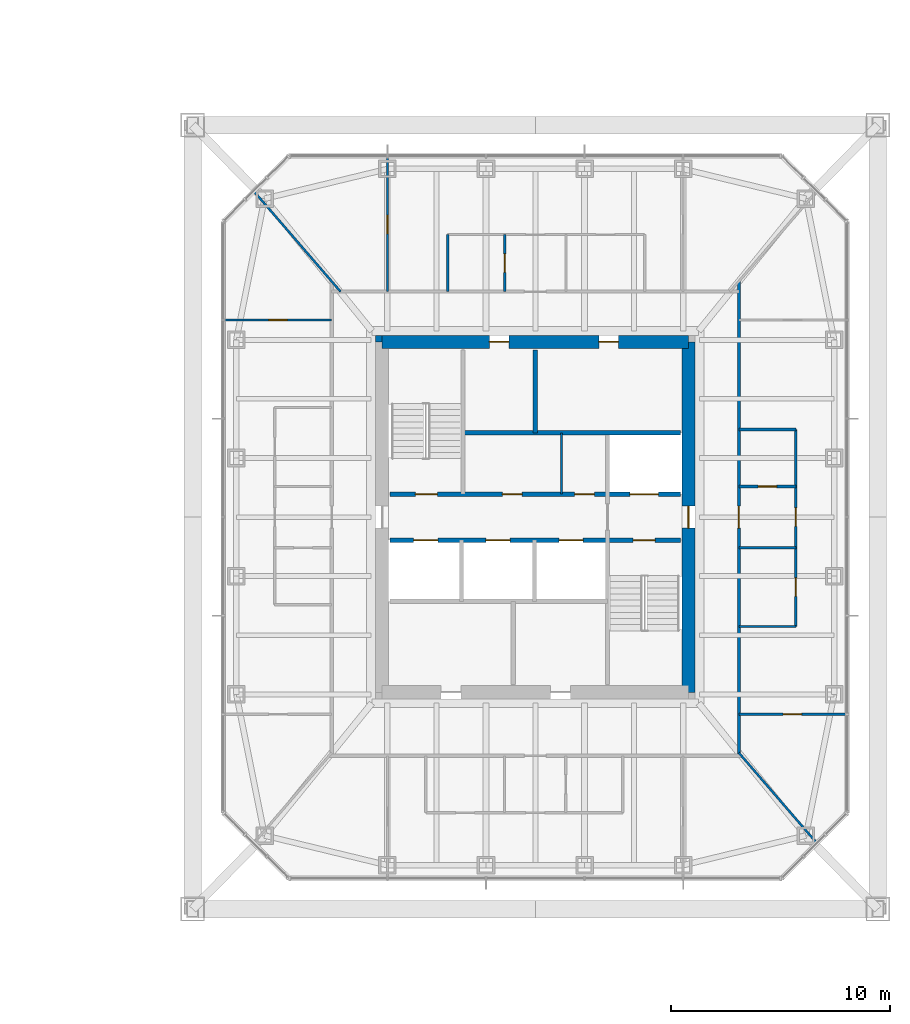
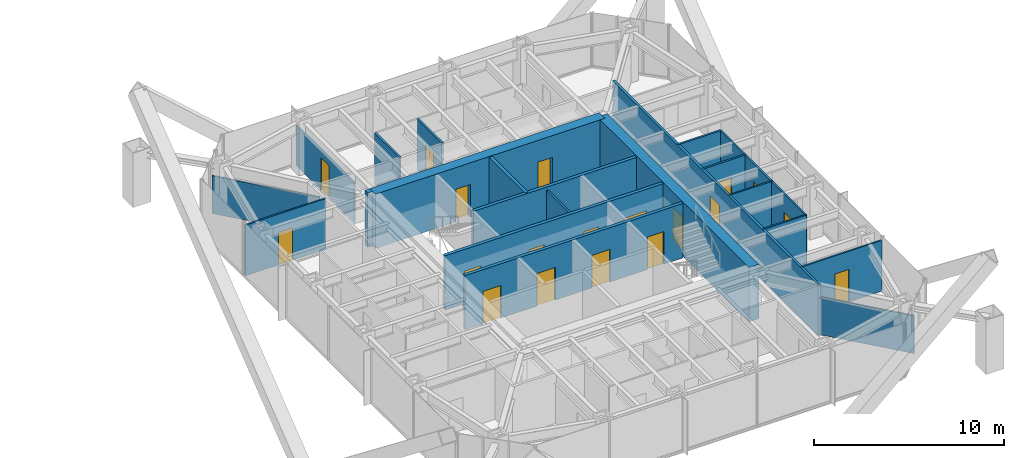
# One storey, part 16 of 23: 21 walls, 19 doors, 19 openings.
"""IFC4 building model written with IfcOpenShell, lengths in metres."""

from ifc_helpers import new_model, si_unit, direction, frame, frame_2d, origin, place, context, subcontext, project, spatial, rectangle, extrude, material, layer, layer_set, type_object, element, fill, save


model = new_model("IFC4")

# Units and contexts
model_context = context("Model", 3, precision=1e-05, world=origin(), true_north=direction((0.0, 1.0)))
body_context = subcontext(model_context, "Body", "Model", "MODEL_VIEW")
ifc_project = project(units=[si_unit("LENGTHUNIT", "METRE"), si_unit("AREAUNIT", "SQUARE_METRE"), si_unit("VOLUMEUNIT", "CUBIC_METRE"), si_unit("PLANEANGLEUNIT", "RADIAN"), si_unit("MASSUNIT", "GRAM", prefix="KILO")], contexts=[model_context])

# Site, building, storey
site_placement = place(None, origin())
site = spatial("IfcSite", under=ifc_project, at=site_placement, CompositionType="ELEMENT")
building_placement = place(site_placement, origin())
building = spatial("IfcBuilding", under=site, at=building_placement, Name="Iwan Alto Co-Living Towers", CompositionType="ELEMENT")
storey_placement = place(building_placement, frame((0.0, 0.0, 122.5)))
storey = spatial("IfcBuildingStorey", under=building, at=storey_placement, Name="L33", CompositionType="ELEMENT", Elevation=122.5)

# Wall, opening, door
ifc_material_1 = material(Name="Gypsum board")
ifc_layer_1 = layer(ifc_material_1, 0.02490234375, Name="Board", Category="Finish")
ifc_material_2 = material(Name="Steel ASTM A1003 ST33H cold-formed studs", Category="steel")
ifc_layer_2 = layer(ifc_material_2, 0.10009765625, Name="Studs", Category="Framing")
ifc_layer_3 = layer(ifc_material_1, 0.02490234375, Name="Board", Category="Finish")
ifc_layer_set_1 = layer_set([ifc_layer_1, ifc_layer_2, ifc_layer_3], Name="CORRIDOR WALL 150")
wall_type_1 = type_object("IfcWallType", Name="CORRIDOR WALL 150", PredefinedType="PARTITIONING", material=ifc_layer_set_1)
wall_1_placement = place(storey_placement, frame((72.300048828125, -10.89990234375, 0.0), z_axis=(0.0, 0.0, 1.0), x_axis=(0.0, 1.0, 0.0)))
wall_1 = element("IfcWall", 1, at=wall_1_placement, inside=storey, type_object=wall_type_1, Name="Partition L33", PredefinedType="PARTITIONING", context=body_context, shape_type="SweptSolid", body=[
    extrude(rectangle(XDim=21.66796875, YDim=0.14990234375, at=frame_2d((10.833984375, 0.0))), origin(), (0.0, 0.0, 1.0), 3.27001953125),
])
opening_1_placement = place(wall_1_placement, frame((10.39990234375, 0.0, 0.0)))
opening_1 = element("IfcOpeningElement", 2, at=opening_1_placement, cuts=wall_1, Name="Opening D3", PredefinedType="OPENING", context=body_context, shape_type="SweptSolid", body=[
    extrude(rectangle(XDim=1.0, YDim=2.10009765625, at=frame_2d((0.5, 1.050048828125))), frame((0.0, 0.0849609375, 0.0), z_axis=(0.0, -1.0, 0.0), x_axis=(1.0, 0.0, 0.0)), (0.0, 0.0, 1.0), 0.169921875),
])
ifc_material_3 = material(Name="Steel frame with timber leaf", Category="steel")
door_type_1 = type_object("IfcDoorType", Name="FLAT ENTRANCE DOOR FD30S 1000X2100", OperationType="SINGLE_SWING_LEFT", PredefinedType="DOOR", material=ifc_material_3)
door_1_placement = place(opening_1_placement, frame((1.0, 0.0, 0.0), z_axis=(0.0, 0.0, 1.0), x_axis=(-1.0, 0.0, 0.0)))
door_1 = element("IfcDoor", 3, at=door_1_placement, inside=storey, type_object=door_type_1, Name="Apartment foyer door L33", OperationType="SINGLE_SWING_RIGHT", OverallHeight=2.10009765625, OverallWidth=1.0, PredefinedType="DOOR", context=body_context, shape_type="SweptSolid", body=[
    extrude(rectangle(XDim=1.0, YDim=2.10009765625, at=frame_2d((0.5, 1.050048828125))), frame((0.0, 0.02490234375, 0.0), z_axis=(0.0, -1.0, 0.0), x_axis=(1.0, 0.0, 0.0)), (0.0, 0.0, 1.0), 0.050048828125),
])
fill(opening_1, door_1)

ifc_layer_4 = layer(ifc_material_1, 0.012451171875, Name="Board", Category="Finish")
ifc_layer_5 = layer(ifc_material_2, 0.074951171875, Name="Studs", Category="Framing")
ifc_layer_6 = layer(ifc_material_1, 0.012451171875, Name="Board", Category="Finish")
ifc_layer_set_2 = layer_set([ifc_layer_4, ifc_layer_5, ifc_layer_6], Name="PARTITION 100")
wall_type_2 = type_object("IfcWallType", Name="PARTITION 100", PredefinedType="PARTITIONING", material=ifc_layer_set_2)
wall_2_placement = place(storey_placement, frame((72.300048828125, -9.0, 0.0), z_axis=(0.0, 0.0, 1.0), x_axis=(1.0, 0.0, 0.0)))
wall_2 = element("IfcWall", 4, at=wall_2_placement, inside=storey, type_object=wall_type_2, Name="Partition L33", PredefinedType="PARTITIONING", context=body_context, shape_type="SweptSolid", body=[
    extrude(rectangle(XDim=4.889892578125, YDim=0.10009765625, at=frame_2d((2.44482421875, 0.0))), origin(), (0.0, 0.0, 1.0), 3.27001953125),
])
opening_2_placement = place(wall_2_placement, frame((2.02001953125, 0.0, 0.0)))
opening_2 = element("IfcOpeningElement", 5, at=opening_2_placement, cuts=wall_2, Name="Opening D2", PredefinedType="OPENING", context=body_context, shape_type="SweptSolid", body=[
    extrude(rectangle(XDim=0.85009765625, YDim=2.10009765625, at=frame_2d((0.425048828125, 1.050048828125))), frame((0.0, 0.06005859375, 0.0), z_axis=(0.0, -1.0, 0.0), x_axis=(1.0, 0.0, 0.0)), (0.0, 0.0, 1.0), 0.1201171875),
])
ifc_material_4 = material(Name="Timber leaf in steel frame", Category="steel")
door_type_2 = type_object("IfcDoorType", Name="ROOM DOOR 850X2100", OperationType="SINGLE_SWING_LEFT", PredefinedType="DOOR", material=ifc_material_4)
door_2_placement = place(opening_2_placement, origin())
door_2 = element("IfcDoor", 6, at=door_2_placement, inside=storey, type_object=door_type_2, Name="Bedroom door L33", OperationType="SINGLE_SWING_LEFT", OverallHeight=2.10009765625, OverallWidth=0.85009765625, PredefinedType="DOOR", context=body_context, shape_type="SweptSolid", body=[
    extrude(rectangle(XDim=0.85009765625, YDim=2.10009765625, at=frame_2d((0.425048828125, 1.050048828125))), frame((0.0, 0.02490234375, 0.0), z_axis=(0.0, -1.0, 0.0), x_axis=(1.0, 0.0, 0.0)), (0.0, 0.0, 1.0), 0.050048828125),
])
fill(opening_2, door_2)

# Walls
for number, where, z_axis, x_axis, name in (
    (7, (72.300048828125, -5.0, 0.0), (0.0, 0.0, 1.0), (1.0, 0.0, 0.0), "Partition L33"),
    (8, (72.300048828125, -1.39990234375, 0.0), (0.0, 0.0, 1.0), (1.0, 0.0, 0.0), "Partition L33"),
):
    element("IfcWall", number, at=place(storey_placement, frame(where, z_axis=z_axis, x_axis=x_axis)), inside=storey, type_object=wall_type_2, Name=name, PredefinedType="PARTITIONING", context=body_context, shape_type="SweptSolid", body=[
        extrude(rectangle(XDim=2.599853515625, YDim=0.10009765625, at=frame_2d((1.2998046875, 0.0))), origin(), (0.0, 0.0, 1.0), 3.27001953125),
    ])

# Wall, opening, door
wall_3_placement = place(storey_placement, frame((48.81005859375, 9.0, 0.0), z_axis=(0.0, 0.0, 1.0), x_axis=(1.0, 0.0, 0.0)))
wall_3 = element("IfcWall", 9, at=wall_3_placement, inside=storey, type_object=wall_type_2, Name="Partition L33", PredefinedType="PARTITIONING", context=body_context, shape_type="SweptSolid", body=[
    extrude(rectangle(XDim=4.889892578125, YDim=0.10009765625, at=frame_2d((2.44482421875, 0.0))), origin(), (0.0, 0.0, 1.0), 3.27001953125),
])
opening_3_placement = place(wall_3_placement, frame((2.02001953125, 0.0, 0.0)))
opening_3 = element("IfcOpeningElement", 10, at=opening_3_placement, cuts=wall_3, Name="Opening D2", PredefinedType="OPENING", context=body_context, shape_type="SweptSolid", body=[
    extrude(rectangle(XDim=0.85009765625, YDim=2.10009765625, at=frame_2d((0.425048828125, 1.050048828125))), frame((0.0, 0.06005859375, 0.0), z_axis=(0.0, -1.0, 0.0), x_axis=(1.0, 0.0, 0.0)), (0.0, 0.0, 1.0), 0.1201171875),
])
door_3_placement = place(opening_3_placement, frame((0.85009765625, 0.0, 0.0), z_axis=(0.0, 0.0, 1.0), x_axis=(-1.0, 0.0, 0.0)))
door_3 = element("IfcDoor", 11, at=door_3_placement, inside=storey, type_object=door_type_2, Name="Bedroom door L33", OperationType="SINGLE_SWING_LEFT", OverallHeight=2.10009765625, OverallWidth=0.85009765625, PredefinedType="DOOR", context=body_context, shape_type="SweptSolid", body=[
    extrude(rectangle(XDim=0.85009765625, YDim=2.10009765625, at=frame_2d((0.425048828125, 1.050048828125))), frame((0.0, 0.02490234375, 0.0), z_axis=(0.0, -1.0, 0.0), x_axis=(1.0, 0.0, 0.0)), (0.0, 0.0, 1.0), 0.050048828125),
])
fill(opening_3, door_3)

# Wall, openings, doors
wall_4_placement = place(storey_placement, frame((74.89990234375, -5.0, 0.0), z_axis=(0.0, 0.0, 1.0), x_axis=(0.0, 1.0, 0.0)))
wall_4 = element("IfcWall", 12, at=wall_4_placement, inside=storey, type_object=wall_type_2, Name="Partition L33", PredefinedType="PARTITIONING", context=body_context, shape_type="SweptSolid", body=[
    extrude(rectangle(XDim=9.0, YDim=0.10009765625, at=frame_2d((4.5, 0.0))), origin(), (0.0, 0.0, 1.0), 3.27001953125),
])
opening_4_placement = place(wall_4_placement, frame((1.375, 0.0, 0.0)))
opening_4 = element("IfcOpeningElement", 13, at=opening_4_placement, cuts=wall_4, Name="Opening D2", PredefinedType="OPENING", context=body_context, shape_type="SweptSolid", body=[
    extrude(rectangle(XDim=0.85009765625, YDim=2.10009765625, at=frame_2d((0.425048828125, 1.050048828125))), frame((0.0, 0.06005859375, 0.0), z_axis=(0.0, -1.0, 0.0), x_axis=(1.0, 0.0, 0.0)), (0.0, 0.0, 1.0), 0.1201171875),
])
opening_5_placement = place(wall_4_placement, frame((4.574951171875, 0.0, 0.0)))
opening_5 = element("IfcOpeningElement", 14, at=opening_5_placement, cuts=wall_4, Name="Opening D2", PredefinedType="OPENING", context=body_context, shape_type="SweptSolid", body=[
    extrude(rectangle(XDim=0.85009765625, YDim=2.10009765625, at=frame_2d((0.425048828125, 1.050048828125))), frame((0.0, 0.06005859375, 0.0), z_axis=(0.0, -1.0, 0.0), x_axis=(1.0, 0.0, 0.0)), (0.0, 0.0, 1.0), 0.1201171875),
])
door_4_placement = place(opening_4_placement, frame((0.85009765625, 0.0, 0.0), z_axis=(0.0, 0.0, 1.0), x_axis=(-1.0, 0.0, 0.0)))
door_4 = element("IfcDoor", 15, at=door_4_placement, inside=storey, type_object=door_type_2, Name="Kitchen door L33", OperationType="SINGLE_SWING_RIGHT", OverallHeight=2.10009765625, OverallWidth=0.85009765625, PredefinedType="DOOR", context=body_context, shape_type="SweptSolid", body=[
    extrude(rectangle(XDim=0.85009765625, YDim=2.10009765625, at=frame_2d((0.425048828125, 1.050048828125))), frame((0.0, 0.02490234375, 0.0), z_axis=(0.0, -1.0, 0.0), x_axis=(1.0, 0.0, 0.0)), (0.0, 0.0, 1.0), 0.050048828125),
])
fill(opening_4, door_4)
door_5_placement = place(opening_5_placement, frame((0.85009765625, 0.0, 0.0), z_axis=(0.0, 0.0, 1.0), x_axis=(-1.0, 0.0, 0.0)))
door_5 = element("IfcDoor", 16, at=door_5_placement, inside=storey, type_object=door_type_2, Name="Apartment foyer door L33", OperationType="SINGLE_SWING_RIGHT", OverallHeight=2.10009765625, OverallWidth=0.85009765625, PredefinedType="DOOR", context=body_context, shape_type="SweptSolid", body=[
    extrude(rectangle(XDim=0.85009765625, YDim=2.10009765625, at=frame_2d((0.425048828125, 1.050048828125))), frame((0.0, 0.02490234375, 0.0), z_axis=(0.0, -1.0, 0.0), x_axis=(1.0, 0.0, 0.0)), (0.0, 0.0, 1.0), 0.050048828125),
])
fill(opening_5, door_5)

# Wall
wall_5_placement = place(storey_placement, frame((64.199951171875, 1.050048828125, 0.0), z_axis=(0.0, 0.0, 1.0), x_axis=(0.0, 1.0, 0.0)))
element("IfcWall", 17, at=wall_5_placement, inside=storey, type_object=wall_type_2, Name="Partition L33", PredefinedType="PARTITIONING", context=body_context, shape_type="SweptSolid", body=[
    extrude(rectangle(XDim=2.800048828125, YDim=0.10009765625, at=frame_2d((1.39990234375, 0.0))), origin(), (0.0, 0.0, 1.0), 3.300048828125),
])

# Wall, opening, door
wall_6_placement = place(storey_placement, frame((56.25, 10.300048828125, 0.0), z_axis=(0.0, 0.0, 1.0), x_axis=(0.0, 1.0, 0.0)))
wall_6 = element("IfcWall", 18, at=wall_6_placement, inside=storey, type_object=wall_type_2, Name="Partition L33", PredefinedType="PARTITIONING", context=body_context, shape_type="SweptSolid", body=[
    extrude(rectangle(XDim=6.139892578125, YDim=0.10009765625, at=frame_2d((3.06982421875, 0.0))), origin(), (0.0, 0.0, 1.0), 2.586669921875),
])
opening_6_placement = place(wall_6_placement, frame((2.64501953125, 0.0, 0.0)))
opening_6 = element("IfcOpeningElement", 19, at=opening_6_placement, cuts=wall_6, Name="Opening D2", PredefinedType="OPENING", context=body_context, shape_type="SweptSolid", body=[
    extrude(rectangle(XDim=0.85009765625, YDim=2.10009765625, at=frame_2d((0.425048828125, 1.050048828125))), frame((0.0, 0.06005859375, 0.0), z_axis=(0.0, -1.0, 0.0), x_axis=(1.0, 0.0, 0.0)), (0.0, 0.0, 1.0), 0.1201171875),
])
door_6_placement = place(opening_6_placement, frame((0.85009765625, 0.0, 0.0), z_axis=(0.0, 0.0, 1.0), x_axis=(-1.0, 0.0, 0.0)))
door_6 = element("IfcDoor", 20, at=door_6_placement, inside=storey, type_object=door_type_2, Name="Bedroom door L33", OperationType="SINGLE_SWING_RIGHT", OverallHeight=2.10009765625, OverallWidth=0.85009765625, PredefinedType="DOOR", context=body_context, shape_type="SweptSolid", body=[
    extrude(rectangle(XDim=0.85009765625, YDim=2.10009765625, at=frame_2d((0.425048828125, 1.050048828125))), frame((0.0, 0.02490234375, 0.0), z_axis=(0.0, -1.0, 0.0), x_axis=(1.0, 0.0, 0.0)), (0.0, 0.0, 1.0), 0.050048828125),
])
fill(opening_6, door_6)

# Walls
wall_7_placement = place(storey_placement, frame((54.10498046875, 10.300048828125, 0.0), z_axis=(0.0, 0.0, 1.0), x_axis=(-0.653606109319, 0.756834892074, 0.0)))
element("IfcWall", 21, at=wall_7_placement, inside=storey, type_object=wall_type_2, Name="Partition L33", PredefinedType="PARTITIONING", context=body_context, shape_type="SweptSolid", body=[
    extrude(rectangle(XDim=6.0048828125, YDim=0.10009765625, at=frame_2d((3.00244140625, 0.0))), origin(), (0.0, 0.0, 1.0), 2.42919921875),
])
wall_8_placement = place(storey_placement, frame((75.821044921875, -14.843994140625, 0.0), z_axis=(0.0, 0.0, 1.0), x_axis=(-0.653713095188, 0.756742485381, 0.0)))
element("IfcWall", 22, at=wall_8_placement, inside=storey, type_object=wall_type_2, Name="Partition L33", PredefinedType="PARTITIONING", context=body_context, shape_type="SweptSolid", body=[
    extrude(rectangle(XDim=5.38623046875, YDim=0.10009765625, at=frame_2d((2.693115234375, 0.0))), origin(), (0.0, 0.0, 1.0), 2.42919921875),
])

# Wall, openings, doors
ifc_material_5 = material(Name="Concrete f'c 70 MPa", Category="concrete")
ifc_layer_7 = layer(ifc_material_5, 0.199951171875)
ifc_layer_set_3 = layer_set([ifc_layer_7], Name="SHAFT WALL 200")
wall_type_3 = type_object("IfcWallType", Name="SHAFT WALL 200", PredefinedType="SOLIDWALL", material=ifc_layer_set_3)
wall_9_placement = place(storey_placement, frame((56.360107421875, -1.050048828125, 0.0), z_axis=(0.0, 0.0, 1.0), x_axis=(1.0, 0.0, 0.0)))
wall_9 = element("IfcWall", 23, at=wall_9_placement, inside=storey, type_object=wall_type_3, Name="Shaft wall L33", PredefinedType="SOLIDWALL", context=body_context, shape_type="SweptSolid", body=[
    extrude(rectangle(XDim=13.27978515625, YDim=0.199951171875, at=frame_2d((6.639892578125, 0.0))), origin(), (0.0, 0.0, 1.0), 3.5),
])
opening_7_placement = place(wall_9_placement, frame((11.110107421875, 0.0, 0.0)))
opening_7 = element("IfcOpeningElement", 24, at=opening_7_placement, cuts=wall_9, Name="Opening D5", PredefinedType="OPENING", context=body_context, shape_type="SweptSolid", body=[
    extrude(rectangle(XDim=1.0, YDim=2.10009765625, at=frame_2d((0.5, 1.050048828125))), frame((0.0, 0.10986328125, 0.0), z_axis=(0.0, -1.0, 0.0), x_axis=(1.0, 0.0, 0.0)), (0.0, 0.0, 1.0), 0.219970703125),
])
opening_8_placement = place(wall_9_placement, frame((1.0869140625, 0.0, 0.0)))
opening_8 = element("IfcOpeningElement", 25, at=opening_8_placement, cuts=wall_9, Name="Opening LD", PredefinedType="OPENING", context=body_context, shape_type="SweptSolid", body=[
    extrude(rectangle(XDim=1.10009765625, YDim=2.10009765625, at=frame_2d((0.550048828125, 1.050048828125))), frame((0.0, 0.10986328125, 0.0), z_axis=(0.0, -1.0, 0.0), x_axis=(1.0, 0.0, 0.0)), (0.0, 0.0, 1.0), 0.219970703125),
])
opening_9_placement = place(wall_9_placement, frame((4.389892578125, 0.0, 0.0)))
opening_9 = element("IfcOpeningElement", 26, at=opening_9_placement, cuts=wall_9, Name="Opening LD", PredefinedType="OPENING", context=body_context, shape_type="SweptSolid", body=[
    extrude(rectangle(XDim=1.10009765625, YDim=2.10009765625, at=frame_2d((0.550048828125, 1.050048828125))), frame((0.0, 0.10986328125, 0.0), z_axis=(0.0, -1.0, 0.0), x_axis=(1.0, 0.0, 0.0)), (0.0, 0.0, 1.0), 0.219970703125),
])
opening_10_placement = place(wall_9_placement, frame((7.72412109375, 0.0, 0.0)))
opening_10 = element("IfcOpeningElement", 27, at=opening_10_placement, cuts=wall_9, Name="Opening LD", PredefinedType="OPENING", context=body_context, shape_type="SweptSolid", body=[
    extrude(rectangle(XDim=1.10009765625, YDim=2.10009765625, at=frame_2d((0.550048828125, 1.050048828125))), frame((0.0, 0.10986328125, 0.0), z_axis=(0.0, -1.0, 0.0), x_axis=(1.0, 0.0, 0.0)), (0.0, 0.0, 1.0), 0.219970703125),
])
ifc_material_6 = material(Name="Steel frame with timber leaf", Category="steel")
door_type_3 = type_object("IfcDoorType", Name="LIFT LANDING DOOR 1100X2100", OperationType="DOUBLE_DOOR_SLIDING", PredefinedType="DOOR", material=ifc_material_6)
door_7_placement = place(opening_8_placement, origin())
door_7 = element("IfcDoor", 28, at=door_7_placement, inside=storey, type_object=door_type_3, Name="Lift P5-1 landing door L33", OperationType="DOUBLE_DOOR_SLIDING", OverallHeight=2.10009765625, OverallWidth=1.10009765625, PredefinedType="DOOR", context=body_context, shape_type="SweptSolid", body=[
    extrude(rectangle(XDim=1.10009765625, YDim=2.10009765625, at=frame_2d((0.550048828125, 1.050048828125))), frame((0.0, 0.02490234375, 0.0), z_axis=(0.0, -1.0, 0.0), x_axis=(1.0, 0.0, 0.0)), (0.0, 0.0, 1.0), 0.050048828125),
])
fill(opening_8, door_7)
door_8_placement = place(opening_9_placement, origin())
door_8 = element("IfcDoor", 29, at=door_8_placement, inside=storey, type_object=door_type_3, Name="Lift P5-2 landing door L33", OperationType="DOUBLE_DOOR_SLIDING", OverallHeight=2.10009765625, OverallWidth=1.10009765625, PredefinedType="DOOR", context=body_context, shape_type="SweptSolid", body=[
    extrude(rectangle(XDim=1.10009765625, YDim=2.10009765625, at=frame_2d((0.550048828125, 1.050048828125))), frame((0.0, 0.02490234375, 0.0), z_axis=(0.0, -1.0, 0.0), x_axis=(1.0, 0.0, 0.0)), (0.0, 0.0, 1.0), 0.050048828125),
])
fill(opening_9, door_8)
door_9_placement = place(opening_10_placement, origin())
door_9 = element("IfcDoor", 30, at=door_9_placement, inside=storey, type_object=door_type_3, Name="Lift P6-3 landing door L33", OperationType="DOUBLE_DOOR_SLIDING", OverallHeight=2.10009765625, OverallWidth=1.10009765625, PredefinedType="DOOR", context=body_context, shape_type="SweptSolid", body=[
    extrude(rectangle(XDim=1.10009765625, YDim=2.10009765625, at=frame_2d((0.550048828125, 1.050048828125))), frame((0.0, 0.02490234375, 0.0), z_axis=(0.0, -1.0, 0.0), x_axis=(1.0, 0.0, 0.0)), (0.0, 0.0, 1.0), 0.050048828125),
])
fill(opening_10, door_9)
ifc_material_7 = material(Name="Steel frame with timber leaf", Category="steel")
door_type_4 = type_object("IfcDoorType", Name="STAIR DOOR FD120S 1000X2100", OperationType="SINGLE_SWING_LEFT", PredefinedType="DOOR", material=ifc_material_7)
door_10_placement = place(opening_7_placement, frame((1.0, 0.0, 0.0), z_axis=(0.0, 0.0, 1.0), x_axis=(-1.0, 0.0, 0.0)))
door_10 = element("IfcDoor", 31, at=door_10_placement, inside=storey, type_object=door_type_4, Name="Stair S2 door L33", OperationType="SINGLE_SWING_RIGHT", OverallHeight=2.10009765625, OverallWidth=1.0, PredefinedType="DOOR", context=body_context, shape_type="SweptSolid", body=[
    extrude(rectangle(XDim=1.0, YDim=2.10009765625, at=frame_2d((0.5, 1.050048828125))), frame((0.0, 0.02490234375, 0.0), z_axis=(0.0, -1.0, 0.0), x_axis=(1.0, 0.0, 0.0)), (0.0, 0.0, 1.0), 0.050048828125),
])
fill(opening_7, door_10)

wall_10_placement = place(storey_placement, frame((56.360107421875, 1.050048828125, 0.0), z_axis=(0.0, 0.0, 1.0), x_axis=(1.0, 0.0, 0.0)))
wall_10 = element("IfcWall", 32, at=wall_10_placement, inside=storey, type_object=wall_type_3, Name="Shaft wall L33", PredefinedType="SOLIDWALL", context=body_context, shape_type="SweptSolid", body=[
    extrude(rectangle(XDim=13.27978515625, YDim=0.199951171875, at=frame_2d((6.639892578125, 0.0))), origin(), (0.0, 0.0, 1.0), 3.5),
])
opening_11_placement = place(wall_10_placement, frame((1.169921875, 0.0, 0.0)))
opening_11 = element("IfcOpeningElement", 33, at=opening_11_placement, cuts=wall_10, Name="Opening D5", PredefinedType="OPENING", context=body_context, shape_type="SweptSolid", body=[
    extrude(rectangle(XDim=1.0, YDim=2.10009765625, at=frame_2d((0.5, 1.050048828125))), frame((0.0, 0.10986328125, 0.0), z_axis=(0.0, -1.0, 0.0), x_axis=(1.0, 0.0, 0.0)), (0.0, 0.0, 1.0), 0.219970703125),
])
opening_12_placement = place(wall_10_placement, frame((5.139892578125, 0.0, 0.0)))
opening_12 = element("IfcOpeningElement", 34, at=opening_12_placement, cuts=wall_10, Name="Opening D8", PredefinedType="OPENING", context=body_context, shape_type="SweptSolid", body=[
    extrude(rectangle(XDim=0.89990234375, YDim=2.10009765625, at=frame_2d((0.449951171875, 1.050048828125))), frame((0.0, 0.10986328125, 0.0), z_axis=(0.0, -1.0, 0.0), x_axis=(1.0, 0.0, 0.0)), (0.0, 0.0, 1.0), 0.219970703125),
])
opening_13_placement = place(wall_10_placement, frame((8.43994140625, 0.0, 0.0)))
opening_13 = element("IfcOpeningElement", 35, at=opening_13_placement, cuts=wall_10, Name="Opening D15", PredefinedType="OPENING", context=body_context, shape_type="SweptSolid", body=[
    extrude(rectangle(XDim=0.89990234375, YDim=2.10009765625, at=frame_2d((0.449951171875, 1.050048828125))), frame((0.0, 0.10986328125, 0.0), z_axis=(0.0, -1.0, 0.0), x_axis=(1.0, 0.0, 0.0)), (0.0, 0.0, 1.0), 0.219970703125),
])
opening_14_placement = place(wall_10_placement, frame((10.9599609375, 0.0, 0.0)))
opening_14 = element("IfcOpeningElement", 36, at=opening_14_placement, cuts=wall_10, Name="Opening LD2", PredefinedType="OPENING", context=body_context, shape_type="SweptSolid", body=[
    extrude(rectangle(XDim=1.300048828125, YDim=2.10009765625, at=frame_2d((0.64990234375, 1.050048828125))), frame((0.0, 0.10986328125, 0.0), z_axis=(0.0, -1.0, 0.0), x_axis=(1.0, 0.0, 0.0)), (0.0, 0.0, 1.0), 0.219970703125),
])
ifc_material_8 = material(Name="Steel frame with timber leaf", Category="steel")
door_type_5 = type_object("IfcDoorType", Name="CORE ROOM DOOR FD60S 900X2100", OperationType="SINGLE_SWING_LEFT", PredefinedType="DOOR", material=ifc_material_8)
door_11_placement = place(opening_13_placement, origin())
door_11 = element("IfcDoor", 37, at=door_11_placement, inside=storey, type_object=door_type_5, Name="Cleaner's store door L33", OperationType="SINGLE_SWING_LEFT", OverallHeight=2.10009765625, OverallWidth=0.89990234375, PredefinedType="DOOR", context=body_context, shape_type="SweptSolid", body=[
    extrude(rectangle(XDim=0.89990234375, YDim=2.10009765625, at=frame_2d((0.449951171875, 1.050048828125))), frame((0.0, 0.02490234375, 0.0), z_axis=(0.0, -1.0, 0.0), x_axis=(1.0, 0.0, 0.0)), (0.0, 0.0, 1.0), 0.050048828125),
])
fill(opening_13, door_11)
ifc_material_9 = material(Name="Steel frame with timber leaf", Category="steel")
door_type_6 = type_object("IfcDoorType", Name="LIFT LANDING DOOR 1300X2100", OperationType="SLIDING_TO_LEFT", PredefinedType="DOOR", material=ifc_material_9)
door_12_placement = place(opening_14_placement, origin())
door_12 = element("IfcDoor", 38, at=door_12_placement, inside=storey, type_object=door_type_6, Name="Lift FL2 landing door L33", OperationType="SLIDING_TO_LEFT", OverallHeight=2.10009765625, OverallWidth=1.300048828125, PredefinedType="DOOR", context=body_context, shape_type="SweptSolid", body=[
    extrude(rectangle(XDim=1.300048828125, YDim=2.10009765625, at=frame_2d((0.64990234375, 1.050048828125))), frame((0.0, 0.02490234375, 0.0), z_axis=(0.0, -1.0, 0.0), x_axis=(1.0, 0.0, 0.0)), (0.0, 0.0, 1.0), 0.050048828125),
])
fill(opening_14, door_12)
ifc_material_10 = material(Name="Steel frame with timber leaf", Category="steel")
door_type_7 = type_object("IfcDoorType", Name="RISER DOOR FD120 900X2100", OperationType="SINGLE_SWING_LEFT", PredefinedType="DOOR", material=ifc_material_10)
door_13_placement = place(opening_12_placement, origin())
door_13 = element("IfcDoor", 39, at=door_13_placement, inside=storey, type_object=door_type_7, Name="Riser room door L33", OperationType="SINGLE_SWING_LEFT", OverallHeight=2.10009765625, OverallWidth=0.89990234375, PredefinedType="DOOR", context=body_context, shape_type="SweptSolid", body=[
    extrude(rectangle(XDim=0.89990234375, YDim=2.10009765625, at=frame_2d((0.449951171875, 1.050048828125))), frame((0.0, 0.02490234375, 0.0), z_axis=(0.0, -1.0, 0.0), x_axis=(1.0, 0.0, 0.0)), (0.0, 0.0, 1.0), 0.050048828125),
])
fill(opening_12, door_13)
door_14_placement = place(opening_11_placement, origin())
door_14 = element("IfcDoor", 40, at=door_14_placement, inside=storey, type_object=door_type_4, Name="Stair S1 door L33", OperationType="SINGLE_SWING_RIGHT", OverallHeight=2.10009765625, OverallWidth=1.0, PredefinedType="DOOR", context=body_context, shape_type="SweptSolid", body=[
    extrude(rectangle(XDim=1.0, YDim=2.10009765625, at=frame_2d((0.5, 1.050048828125))), frame((0.0, 0.02490234375, 0.0), z_axis=(0.0, -1.0, 0.0), x_axis=(1.0, 0.0, 0.0)), (0.0, 0.0, 1.0), 0.050048828125),
])
fill(opening_11, door_14)

# Walls
wall_11_placement = place(storey_placement, frame((59.699951171875, 3.85009765625, 0.0), z_axis=(0.0, 0.0, 1.0), x_axis=(1.0, 0.0, 0.0)))
element("IfcWall", 41, at=wall_11_placement, inside=storey, type_object=wall_type_3, Name="Shaft wall L33", PredefinedType="SOLIDWALL", context=body_context, shape_type="SweptSolid", body=[
    extrude(rectangle(XDim=9.93994140625, YDim=0.199951171875, at=frame_2d((4.969970703125, 0.0))), origin(), (0.0, 0.0, 1.0), 3.5),
])
wall_12_placement = place(storey_placement, frame((63.0, 3.85009765625, 0.0), z_axis=(0.0, 0.0, 1.0), x_axis=(0.0, 1.0, 0.0)))
element("IfcWall", 42, at=wall_12_placement, inside=storey, type_object=wall_type_3, Name="Shaft wall L33", PredefinedType="SOLIDWALL", context=body_context, shape_type="SweptSolid", body=[
    extrude(rectangle(XDim=3.789794921875, YDim=0.199951171875, at=frame_2d((1.89501953125, 0.0))), origin(), (0.0, 0.0, 1.0), 3.5),
])
ifc_material_11 = material(Name="Concrete f'c 70 MPa", Category="concrete")
ifc_layer_8 = layer(ifc_material_11, 0.300048828125)
ifc_layer_set_4 = layer_set([ifc_layer_8], Name="T2 CORE CORNER FILL 300")
wall_type_4 = type_object("IfcWallType", Name="T2 CORE CORNER FILL 300", PredefinedType="SOLIDWALL", material=ifc_layer_set_4)
wall_13_placement = place(storey_placement, frame((55.699951171875, 8.14990234375, 0.0), z_axis=(0.0, 0.0, 1.0), x_axis=(1.0, 0.0, 0.0)))
element("IfcWall", 43, at=wall_13_placement, inside=storey, type_object=wall_type_4, Name="T2 core corner NW L33", PredefinedType="SOLIDWALL", context=body_context, shape_type="SweptSolid", body=[
    extrude(rectangle(XDim=0.300048828125, YDim=0.300048828125, at=frame_2d((0.14990234375, 0.0))), origin(), (0.0, 0.0, 1.0), 3.5),
])

# Wall, openings, doors
ifc_material_12 = material(Name="Concrete f'c 70 MPa", Category="concrete")
ifc_layer_9 = layer(ifc_material_12, 0.60009765625)
ifc_layer_set_5 = layer_set([ifc_layer_9], Name="T2 CORE WALL 600")
wall_type_5 = type_object("IfcWallType", Name="T2 CORE WALL 600", PredefinedType="SHEAR", material=ifc_layer_set_5)
wall_14_placement = place(storey_placement, frame((70.0, 8.0, 0.0), z_axis=(0.0, 0.0, 1.0), x_axis=(-1.0, 0.0, 0.0)))
wall_14 = element("IfcWall", 44, at=wall_14_placement, inside=storey, type_object=wall_type_5, Name="T2 core wall N L33", PredefinedType="SHEAR", context=body_context, shape_type="SweptSolid", body=[
    extrude(rectangle(XDim=14.0, YDim=0.60009765625, at=frame_2d((7.0, 0.0))), origin(), (0.0, 0.0, 1.0), 3.5),
])
opening_15_placement = place(wall_14_placement, frame((8.199951171875, 0.0, 0.0)))
opening_15 = element("IfcOpeningElement", 45, at=opening_15_placement, cuts=wall_14, Name="Opening D8", PredefinedType="OPENING", context=body_context, shape_type="SweptSolid", body=[
    extrude(rectangle(XDim=0.89990234375, YDim=2.10009765625, at=frame_2d((0.449951171875, 1.050048828125))), frame((0.0, 0.31005859375, 0.0), z_axis=(0.0, -1.0, 0.0), x_axis=(1.0, 0.0, 0.0)), (0.0, 0.0, 1.0), 0.6201171875),
])
opening_16_placement = place(wall_14_placement, frame((3.199951171875, 0.0, 0.0)))
opening_16 = element("IfcOpeningElement", 46, at=opening_16_placement, cuts=wall_14, Name="Opening D8", PredefinedType="OPENING", context=body_context, shape_type="SweptSolid", body=[
    extrude(rectangle(XDim=0.89990234375, YDim=2.10009765625, at=frame_2d((0.449951171875, 1.050048828125))), frame((0.0, 0.31005859375, 0.0), z_axis=(0.0, -1.0, 0.0), x_axis=(1.0, 0.0, 0.0)), (0.0, 0.0, 1.0), 0.6201171875),
])
door_15_placement = place(opening_15_placement, origin())
door_15 = element("IfcDoor", 47, at=door_15_placement, inside=storey, type_object=door_type_7, Name="Electrical riser core door L33", OperationType="SINGLE_SWING_RIGHT", OverallHeight=2.10009765625, OverallWidth=0.89990234375, PredefinedType="DOOR", context=body_context, shape_type="SweptSolid", body=[
    extrude(rectangle(XDim=0.89990234375, YDim=2.10009765625, at=frame_2d((0.449951171875, 1.050048828125))), frame((0.0, 0.02490234375, 0.0), z_axis=(0.0, -1.0, 0.0), x_axis=(1.0, 0.0, 0.0)), (0.0, 0.0, 1.0), 0.050048828125),
])
fill(opening_15, door_15)
door_16_placement = place(opening_16_placement, origin())
door_16 = element("IfcDoor", 48, at=door_16_placement, inside=storey, type_object=door_type_7, Name="Water and drainage riser core door L33", OperationType="SINGLE_SWING_RIGHT", OverallHeight=2.10009765625, OverallWidth=0.89990234375, PredefinedType="DOOR", context=body_context, shape_type="SweptSolid", body=[
    extrude(rectangle(XDim=0.89990234375, YDim=2.10009765625, at=frame_2d((0.449951171875, 1.050048828125))), frame((0.0, 0.02490234375, 0.0), z_axis=(0.0, -1.0, 0.0), x_axis=(1.0, 0.0, 0.0)), (0.0, 0.0, 1.0), 0.050048828125),
])
fill(opening_16, door_16)

# Wall, opening, door
wall_15_placement = place(storey_placement, frame((70.0, -8.0, 0.0), z_axis=(0.0, 0.0, 1.0), x_axis=(0.0, 1.0, 0.0)))
wall_15 = element("IfcWall", 49, at=wall_15_placement, inside=storey, type_object=wall_type_5, Name="T2 core wall E L33", PredefinedType="SHEAR", context=body_context, shape_type="SweptSolid", body=[
    extrude(rectangle(XDim=16.0, YDim=0.60009765625, at=frame_2d((8.0, 0.0))), origin(), (0.0, 0.0, 1.0), 3.5),
])
opening_17_placement = place(wall_15_placement, frame((7.5, 0.0, 0.0)))
opening_17 = element("IfcOpeningElement", 50, at=opening_17_placement, cuts=wall_15, Name="Opening D7", PredefinedType="OPENING", context=body_context, shape_type="SweptSolid", body=[
    extrude(rectangle(XDim=1.0, YDim=2.10009765625, at=frame_2d((0.5, 1.050048828125))), frame((0.0, 0.31005859375, 0.0), z_axis=(0.0, -1.0, 0.0), x_axis=(1.0, 0.0, 0.0)), (0.0, 0.0, 1.0), 0.6201171875),
])
ifc_material_13 = material(Name="Steel frame with timber leaf", Category="steel")
door_type_8 = type_object("IfcDoorType", Name="CORE DOOR FD120S 1000X2100", OperationType="SINGLE_SWING_LEFT", PredefinedType="DOOR", material=ifc_material_13)
door_17_placement = place(opening_17_placement, origin())
door_17 = element("IfcDoor", 51, at=door_17_placement, inside=storey, type_object=door_type_8, Name="Firefighting lobby core door L33", OperationType="SINGLE_SWING_LEFT", OverallHeight=2.10009765625, OverallWidth=1.0, PredefinedType="DOOR", context=body_context, shape_type="SweptSolid", body=[
    extrude(rectangle(XDim=1.0, YDim=2.10009765625, at=frame_2d((0.5, 1.050048828125))), frame((0.0, 0.02490234375, 0.0), z_axis=(0.0, -1.0, 0.0), x_axis=(1.0, 0.0, 0.0)), (0.0, 0.0, 1.0), 0.050048828125),
])
fill(opening_17, door_17)

ifc_material_14 = material(Name="Cement board")
ifc_layer_10 = layer(ifc_material_14, 0.012451171875, Name="Board", Category="Finish")
ifc_layer_11 = layer(ifc_material_2, 0.094970703125, Name="Studs", Category="Framing")
ifc_layer_12 = layer(ifc_material_14, 0.012451171875, Name="Board", Category="Finish")
ifc_layer_set_6 = layer_set([ifc_layer_10, ifc_layer_11, ifc_layer_12], Name="WET AREA PARTITION 120")
wall_type_6 = type_object("IfcWallType", Name="WET AREA PARTITION 120", PredefinedType="PARTITIONING", material=ifc_layer_set_6)
wall_16_placement = place(storey_placement, frame((72.300048828125, 1.39990234375, 0.0), z_axis=(0.0, 0.0, 1.0), x_axis=(1.0, 0.0, 0.0)))
wall_16 = element("IfcWall", 52, at=wall_16_placement, inside=storey, type_object=wall_type_6, Name="Partition L33", PredefinedType="PARTITIONING", context=body_context, shape_type="SweptSolid", body=[
    extrude(rectangle(XDim=2.599853515625, YDim=0.1201171875, at=frame_2d((1.2998046875, 0.0))), origin(), (0.0, 0.0, 1.0), 3.27001953125),
])
opening_18_placement = place(wall_16_placement, frame((0.875, 0.0, 0.0)))
opening_18 = element("IfcOpeningElement", 53, at=opening_18_placement, cuts=wall_16, Name="Opening D2", PredefinedType="OPENING", context=body_context, shape_type="SweptSolid", body=[
    extrude(rectangle(XDim=0.85009765625, YDim=2.10009765625, at=frame_2d((0.425048828125, 1.050048828125))), frame((0.0, 0.070068359375, 0.0), z_axis=(0.0, -1.0, 0.0), x_axis=(1.0, 0.0, 0.0)), (0.0, 0.0, 1.0), 0.14013671875),
])
door_18_placement = place(opening_18_placement, origin())
door_18 = element("IfcDoor", 54, at=door_18_placement, inside=storey, type_object=door_type_2, Name="Bathroom door L33", OperationType="SINGLE_SWING_LEFT", OverallHeight=2.10009765625, OverallWidth=0.85009765625, PredefinedType="DOOR", context=body_context, shape_type="SweptSolid", body=[
    extrude(rectangle(XDim=0.85009765625, YDim=2.10009765625, at=frame_2d((0.425048828125, 1.050048828125))), frame((0.0, 0.02490234375, 0.0), z_axis=(0.0, -1.0, 0.0), x_axis=(1.0, 0.0, 0.0)), (0.0, 0.0, 1.0), 0.050048828125),
])
fill(opening_18, door_18)

# Wall
wall_17_placement = place(storey_placement, frame((72.300048828125, 4.0, 0.0), z_axis=(0.0, 0.0, 1.0), x_axis=(1.0, 0.0, 0.0)))
element("IfcWall", 55, at=wall_17_placement, inside=storey, type_object=wall_type_6, Name="Partition L33", PredefinedType="PARTITIONING", context=body_context, shape_type="SweptSolid", body=[
    extrude(rectangle(XDim=2.599853515625, YDim=0.1201171875, at=frame_2d((1.2998046875, 0.0))), origin(), (0.0, 0.0, 1.0), 3.27001953125),
])

# Wall, opening, door
wall_18_placement = place(storey_placement, frame((61.60009765625, 10.300048828125, 0.0), z_axis=(0.0, 0.0, 1.0), x_axis=(0.0, 1.0, 0.0)))
wall_18 = element("IfcWall", 56, at=wall_18_placement, inside=storey, type_object=wall_type_6, Name="Partition L33", PredefinedType="PARTITIONING", context=body_context, shape_type="SweptSolid", body=[
    extrude(rectangle(XDim=2.599853515625, YDim=0.1201171875, at=frame_2d((1.2998046875, 0.0))), origin(), (0.0, 0.0, 1.0), 3.27001953125),
])
opening_19_placement = place(wall_18_placement, frame((0.875, 0.0, 0.0)))
opening_19 = element("IfcOpeningElement", 57, at=opening_19_placement, cuts=wall_18, Name="Opening D2", PredefinedType="OPENING", context=body_context, shape_type="SweptSolid", body=[
    extrude(rectangle(XDim=0.85009765625, YDim=2.10009765625, at=frame_2d((0.425048828125, 1.050048828125))), frame((0.0, 0.070068359375, 0.0), z_axis=(0.0, -1.0, 0.0), x_axis=(1.0, 0.0, 0.0)), (0.0, 0.0, 1.0), 0.14013671875),
])
door_19_placement = place(opening_19_placement, origin())
door_19 = element("IfcDoor", 58, at=door_19_placement, inside=storey, type_object=door_type_2, Name="Bathroom door L33", OperationType="SINGLE_SWING_LEFT", OverallHeight=2.10009765625, OverallWidth=0.85009765625, PredefinedType="DOOR", context=body_context, shape_type="SweptSolid", body=[
    extrude(rectangle(XDim=0.85009765625, YDim=2.10009765625, at=frame_2d((0.425048828125, 1.050048828125))), frame((0.0, 0.02490234375, 0.0), z_axis=(0.0, -1.0, 0.0), x_axis=(1.0, 0.0, 0.0)), (0.0, 0.0, 1.0), 0.050048828125),
])
fill(opening_19, door_19)

# Wall
wall_19_placement = place(storey_placement, frame((59.0, 10.300048828125, 0.0), z_axis=(0.0, 0.0, 1.0), x_axis=(0.0, 1.0, 0.0)))
element("IfcWall", 59, at=wall_19_placement, inside=storey, type_object=wall_type_6, Name="Partition L33", PredefinedType="PARTITIONING", context=body_context, shape_type="SweptSolid", body=[
    extrude(rectangle(XDim=2.599853515625, YDim=0.1201171875, at=frame_2d((1.2998046875, 0.0))), origin(), (0.0, 0.0, 1.0), 3.27001953125),
])

save(model, "model.ifc")
